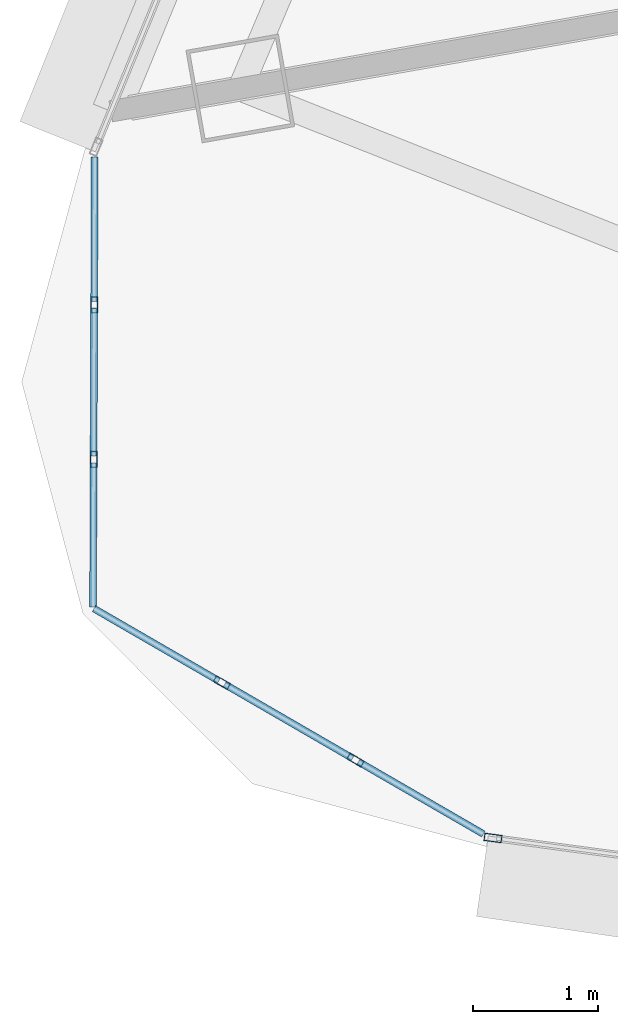
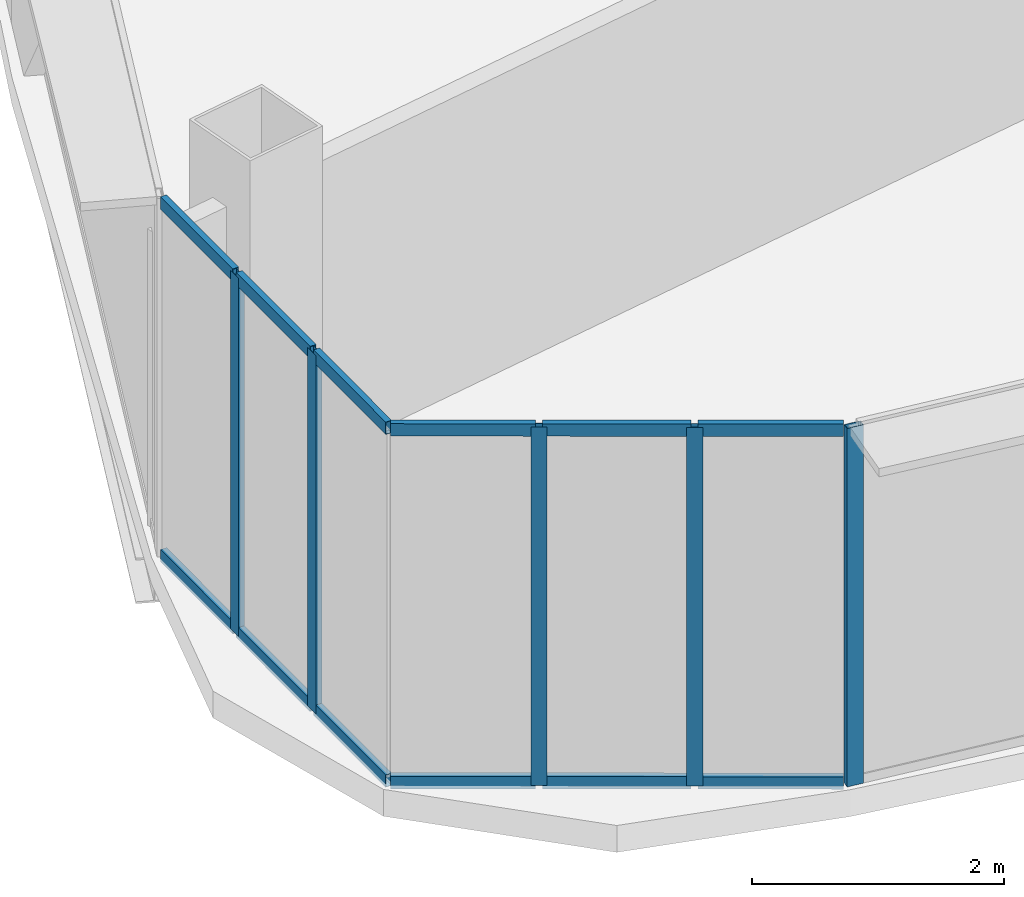
# One storey, part 2 of 33: 17 members, 3 elements without a shape of their own.
"""IFC4 building model written with IfcOpenShell, lengths in metres."""

from ifc_helpers import new_model, si_unit, direction, frame, origin, origin_2d, place, context, subcontext, project, spatial, hollow_rectangle, extrude, source, transform, mapped, material, layer, layer_set, material_profile, profile_set, type_object, element, aggregate, save


model = new_model("IFC4")

# Units and contexts
model_context = context("Model", 3, precision=1e-05, world=origin(), true_north=direction((0.0, 1.0)))
body_context = subcontext(model_context, "Body", "Model", "MODEL_VIEW")
ifc_project = project(units=[si_unit("LENGTHUNIT", "METRE"), si_unit("AREAUNIT", "SQUARE_METRE"), si_unit("VOLUMEUNIT", "CUBIC_METRE"), si_unit("PLANEANGLEUNIT", "RADIAN"), si_unit("MASSUNIT", "GRAM", prefix="KILO"), si_unit("THERMODYNAMICTEMPERATUREUNIT", "KELVIN"), si_unit("POWERUNIT", "WATT")], contexts=[model_context])

# Site, building, storey
site_placement = place(None, origin())
site = spatial("IfcSite", under=ifc_project, at=site_placement, CompositionType="ELEMENT")
building_placement = place(site_placement, origin())
building = spatial("IfcBuilding", under=site, at=building_placement, Name="Yunzhuo Pagoda Commons", CompositionType="ELEMENT")
storey_placement = place(building_placement, frame((0.0, 0.0, 311.1298828125)))
storey = spatial("IfcBuildingStorey", under=building, at=storey_placement, Name="L78", CompositionType="ELEMENT", Elevation=311.1298828125)

# Curtain wall, member
ifc_material = material(Name="Anodized aluminium 6063-T6", Category="aluminium")
ifc_layer_1 = layer(ifc_material, 0.139892578125)
ifc_layer_set_1 = layer_set([ifc_layer_1], Name="Anodized aluminium 6063-T6")
curtain_wall_type_1 = type_object("IfcCurtainWallType", Name="CW-HI High-Zone Ribbon Curtain Wall", PredefinedType="NOTDEFINED", material=ifc_layer_set_1)
curtain_wall_1_placement = place(storey_placement, origin())
curtain_wall_1 = element("IfcCurtainWall", 1, at=curtain_wall_1_placement, inside=storey, type_object=curtain_wall_type_1, Name="L78 curtain wall CW-L78-F1B1", PredefinedType="NOTDEFINED")
ifc_material_profile_1 = material_profile(ifc_material, hollow_rectangle(XDim=0.06005859375, YDim=0.139892578125, WallThickness=0.00341796875, at=origin_2d()), Name="Anodized aluminium 6063-T6")
ifc_profile_set_1 = profile_set([ifc_material_profile_1], Name="Anodized aluminium 6063-T6")
member_type_1 = type_object("IfcMemberType", Name="CW-HI-M Mullion RHS 140x60x3.5", PredefinedType="MULLION", material=ifc_profile_set_1)
shared_shape_1 = source(origin(), body_context, "Body", "SweptSolid", [
    extrude(hollow_rectangle(XDim=0.06005859375, YDim=0.139892578125, WallThickness=0.00341796875, at=origin_2d()), origin(), (0.0, 0.0, 1.0), 3.47021484375),
])
member_1_placement = place(storey_placement, frame((21.3564453125, 22.660888671875, 0.0), z_axis=(0.0, 0.0, 1.0), x_axis=(0.133518525759, 0.991046317424, 0.0)))
member_1 = element("IfcMember", 2, at=member_1_placement, type_object=member_type_1, Name="CW mullion 1", PredefinedType="MULLION", context=body_context, shape_type="MappedRepresentation", body=[
    mapped(shared_shape_1, transform((0.0, 0.0, 0.0), scale=1.0)),
])
aggregate(curtain_wall_1, [member_1])

# Curtain wall, members
ifc_layer_2 = layer(ifc_material, 0.1298828125)
ifc_layer_set_2 = layer_set([ifc_layer_2], Name="Anodized aluminium 6063-T6")
curtain_wall_type_2 = type_object("IfcCurtainWallType", Name="CW-VTX Rounded Corner Curtain Wall", PredefinedType="NOTDEFINED", material=ifc_layer_set_2)
curtain_wall_2_placement = place(storey_placement, origin())
curtain_wall_2 = element("IfcCurtainWall", 3, at=curtain_wall_2_placement, inside=storey, type_object=curtain_wall_type_2, Name="L78 curtain wall CW-L78-VTX1S1", PredefinedType="NOTDEFINED")
ifc_material_profile_2 = material_profile(ifc_material, hollow_rectangle(XDim=0.054931640625, YDim=0.1298828125, WallThickness=0.00341796875, at=origin_2d()), Name="Anodized aluminium 6063-T6")
ifc_profile_set_2 = profile_set([ifc_material_profile_2], Name="Anodized aluminium 6063-T6")
member_type_2 = type_object("IfcMemberType", Name="CW-VTX-M Mullion RHS 130x55x3.5", PredefinedType="MULLION", material=ifc_profile_set_2)
shared_shape_2 = source(origin(), body_context, "Body", "SweptSolid", [
    extrude(hollow_rectangle(XDim=0.054931640625, YDim=0.1298828125, WallThickness=0.00341796875, at=origin_2d()), origin(), (0.0, 0.0, 1.0), 3.47021484375),
])
member_2_placement = place(storey_placement, frame((18.17138671875, 26.91845703125, 0.0), z_axis=(0.0, 0.0, 1.0), x_axis=(0.999993547183, -0.003592435359, 0.0)))
member_2 = element("IfcMember", 4, at=member_2_placement, type_object=member_type_2, Name="CW mullion 2", PredefinedType="MULLION", context=body_context, shape_type="MappedRepresentation", body=[
    mapped(shared_shape_2, transform((0.0, 0.0, 0.0), scale=1.0)),
])
member_3_placement = place(storey_placement, frame((18.1669921875, 25.6845703125, 0.0), z_axis=(0.0, 0.0, 1.0), x_axis=(0.999993547183, -0.003592435359, 0.0)))
member_3 = element("IfcMember", 5, at=member_3_placement, type_object=member_type_2, Name="CW mullion 3", PredefinedType="MULLION", context=body_context, shape_type="MappedRepresentation", body=[
    mapped(shared_shape_2, transform((0.0, 0.0, 0.0), scale=1.0)),
])

curtain_wall_3_placement = place(storey_placement, origin())
curtain_wall_3 = element("IfcCurtainWall", 6, at=curtain_wall_3_placement, inside=storey, type_object=curtain_wall_type_2, Name="L78 curtain wall CW-L78-VTX1S2", PredefinedType="NOTDEFINED")
member_4_placement = place(storey_placement, frame((19.190673828125, 23.901611328125, 0.0), z_axis=(0.0, 0.0, 1.0), x_axis=(0.501026687771, 0.86543183333, 0.0)))
member_4 = element("IfcMember", 7, at=member_4_placement, type_object=member_type_2, Name="CW mullion 2", PredefinedType="MULLION", context=body_context, shape_type="MappedRepresentation", body=[
    mapped(shared_shape_2, transform((0.0, 0.0, 0.0), scale=1.0)),
])
member_5_placement = place(storey_placement, frame((20.258544921875, 23.283203125, 0.0), z_axis=(0.0, 0.0, 1.0), x_axis=(0.501026687771, 0.86543183333, 0.0)))
member_5 = element("IfcMember", 8, at=member_5_placement, type_object=member_type_2, Name="CW mullion 3", PredefinedType="MULLION", context=body_context, shape_type="MappedRepresentation", body=[
    mapped(shared_shape_2, transform((0.0, 0.0, 0.0), scale=1.0)),
])

# Member
ifc_material_profile_3 = material_profile(ifc_material, hollow_rectangle(XDim=0.054931640625, YDim=0.1201171875, WallThickness=0.00341796875, at=origin_2d()), Name="Anodized aluminium 6063-T6")
ifc_profile_set_3 = profile_set([ifc_material_profile_3], Name="Anodized aluminium 6063-T6")
member_type_3 = type_object("IfcMemberType", Name="CW-VTX-T Transom RHS 120x55x3.5", PredefinedType="USERDEFINED", material=ifc_profile_set_3)
shared_shape_3 = source(origin(), body_context, "Body", "SweptSolid", [
    extrude(hollow_rectangle(XDim=0.054931640625, YDim=0.1201171875, WallThickness=0.00341796875, at=origin_2d()), origin(), (0.0, 0.0, 1.0), 1.151611328125),
])
member_6_placement = place(storey_placement, frame((18.175537109375, 28.09765625, 0.027587890625), z_axis=(-0.003603962179, -0.999993505707, 0.0), x_axis=(0.999993505707, -0.003603962179, 0.0)))
member_6 = element("IfcMember", 9, at=member_6_placement, type_object=member_type_3, Name="CW transom 1.1", ObjectType="TRANSOM", PredefinedType="USERDEFINED", context=body_context, shape_type="MappedRepresentation", body=[
    mapped(shared_shape_3, transform((0.0, 0.0, 0.0), scale=1.0)),
])

member_7_placement = place(storey_placement, frame((18.175537109375, 28.09765625, 3.442626953125), z_axis=(-0.003603962179, -0.999993505707, 0.0), x_axis=(0.999993505707, -0.003603962179, 0.0)))
member_7 = element("IfcMember", 10, at=member_7_placement, type_object=member_type_3, Name="CW transom 1.2", ObjectType="TRANSOM", PredefinedType="USERDEFINED", context=body_context, shape_type="MappedRepresentation", body=[
    mapped(shared_shape_3, transform((0.0, 0.0, 0.0), scale=1.0)),
])

member_8_placement = place(storey_placement, frame((18.166748046875, 25.656982421875, 0.027587890625), z_axis=(-0.003603962179, -0.999993505707, 0.0), x_axis=(0.999993505707, -0.003603962179, 0.0)))
member_8 = element("IfcMember", 11, at=member_8_placement, type_object=member_type_3, Name="CW transom 3.1", ObjectType="TRANSOM", PredefinedType="USERDEFINED", context=body_context, shape_type="MappedRepresentation", body=[
    mapped(shared_shape_3, transform((0.0, 0.0, 0.0), scale=1.0)),
])

member_9_placement = place(storey_placement, frame((18.166748046875, 25.656982421875, 3.442626953125), z_axis=(-0.003603962179, -0.999993505707, 0.0), x_axis=(0.999993505707, -0.003603962179, 0.0)))
member_9 = element("IfcMember", 12, at=member_9_placement, type_object=member_type_3, Name="CW transom 3.2", ObjectType="TRANSOM", PredefinedType="USERDEFINED", context=body_context, shape_type="MappedRepresentation", body=[
    mapped(shared_shape_3, transform((0.0, 0.0, 0.0), scale=1.0)),
])

member_10_placement = place(storey_placement, frame((18.170166015625, 24.492431640625, 0.027587890625), z_axis=(0.865358545126, -0.501153258373, 0.0), x_axis=(0.501153258373, 0.865358545126, 0.0)))
member_10 = element("IfcMember", 13, at=member_10_placement, type_object=member_type_3, Name="CW transom 1.1", ObjectType="TRANSOM", PredefinedType="USERDEFINED", context=body_context, shape_type="MappedRepresentation", body=[
    mapped(shared_shape_3, transform((0.0, 0.0, 0.0), scale=1.0)),
])

member_11_placement = place(storey_placement, frame((18.170166015625, 24.492431640625, 3.442626953125), z_axis=(0.865358545126, -0.501153258373, 0.0), x_axis=(0.501153258373, 0.865358545126, 0.0)))
member_11 = element("IfcMember", 14, at=member_11_placement, type_object=member_type_3, Name="CW transom 1.2", ObjectType="TRANSOM", PredefinedType="USERDEFINED", context=body_context, shape_type="MappedRepresentation", body=[
    mapped(shared_shape_3, transform((0.0, 0.0, 0.0), scale=1.0)),
])

member_12_placement = place(storey_placement, frame((20.282470703125, 23.26953125, 0.027587890625), z_axis=(0.865450477202, -0.500994482515, 0.0), x_axis=(0.500994482515, 0.865450477202, 0.0)))
member_12 = element("IfcMember", 15, at=member_12_placement, type_object=member_type_3, Name="CW transom 3.1", ObjectType="TRANSOM", PredefinedType="USERDEFINED", context=body_context, shape_type="MappedRepresentation", body=[
    mapped(shared_shape_3, transform((0.0, 0.0, 0.0), scale=1.0)),
])

member_13_placement = place(storey_placement, frame((20.282470703125, 23.26953125, 3.442626953125), z_axis=(0.865450477202, -0.500994482515, 0.0), x_axis=(0.500994482515, 0.865450477202, 0.0)))
member_13 = element("IfcMember", 16, at=member_13_placement, type_object=member_type_3, Name="CW transom 3.2", ObjectType="TRANSOM", PredefinedType="USERDEFINED", context=body_context, shape_type="MappedRepresentation", body=[
    mapped(shared_shape_3, transform((0.0, 0.0, 0.0), scale=1.0)),
])

shared_shape_4 = source(origin(), body_context, "Body", "SweptSolid", [
    extrude(hollow_rectangle(XDim=0.054931640625, YDim=0.1201171875, WallThickness=0.00341796875, at=origin_2d()), origin(), (0.0, 0.0, 1.0), 1.17919921875),
])
member_14_placement = place(storey_placement, frame((18.17138671875, 26.89111328125, 0.027587890625), z_axis=(-0.003726682196, -0.999993055896, 0.0), x_axis=(0.999993055896, -0.003726682196, 0.0)))
member_14 = element("IfcMember", 17, at=member_14_placement, type_object=member_type_3, Name="CW transom 2.1", ObjectType="TRANSOM", PredefinedType="USERDEFINED", context=body_context, shape_type="MappedRepresentation", body=[
    mapped(shared_shape_4, transform((0.0, 0.0, 0.0), scale=1.0)),
])

member_15_placement = place(storey_placement, frame((18.17138671875, 26.89111328125, 3.442626953125), z_axis=(-0.003726682196, -0.999993055896, 0.0), x_axis=(0.999993055896, -0.003726682196, 0.0)))
member_15 = element("IfcMember", 18, at=member_15_placement, type_object=member_type_3, Name="CW transom 2.2", ObjectType="TRANSOM", PredefinedType="USERDEFINED", context=body_context, shape_type="MappedRepresentation", body=[
    mapped(shared_shape_4, transform((0.0, 0.0, 0.0), scale=1.0)),
])

aggregate(curtain_wall_2, [member_2, member_3, member_6, member_7, member_14, member_15, member_8, member_9])

member_16_placement = place(storey_placement, frame((19.214599609375, 23.88818359375, 0.027587890625), z_axis=(0.865284490925, -0.501281108526, 0.0), x_axis=(0.501281108526, 0.865284490925, 0.0)))
member_16 = element("IfcMember", 19, at=member_16_placement, type_object=member_type_3, Name="CW transom 2.1", ObjectType="TRANSOM", PredefinedType="USERDEFINED", context=body_context, shape_type="MappedRepresentation", body=[
    mapped(shared_shape_4, transform((0.0, 0.0, 0.0), scale=1.0)),
])

member_17_placement = place(storey_placement, frame((19.214599609375, 23.88818359375, 3.442626953125), z_axis=(0.865284490925, -0.501281108526, 0.0), x_axis=(0.501281108526, 0.865284490925, 0.0)))
member_17 = element("IfcMember", 20, at=member_17_placement, type_object=member_type_3, Name="CW transom 2.2", ObjectType="TRANSOM", PredefinedType="USERDEFINED", context=body_context, shape_type="MappedRepresentation", body=[
    mapped(shared_shape_4, transform((0.0, 0.0, 0.0), scale=1.0)),
])

aggregate(curtain_wall_3, [member_4, member_5, member_10, member_11, member_16, member_17, member_12, member_13])

save(model, "model.ifc")
